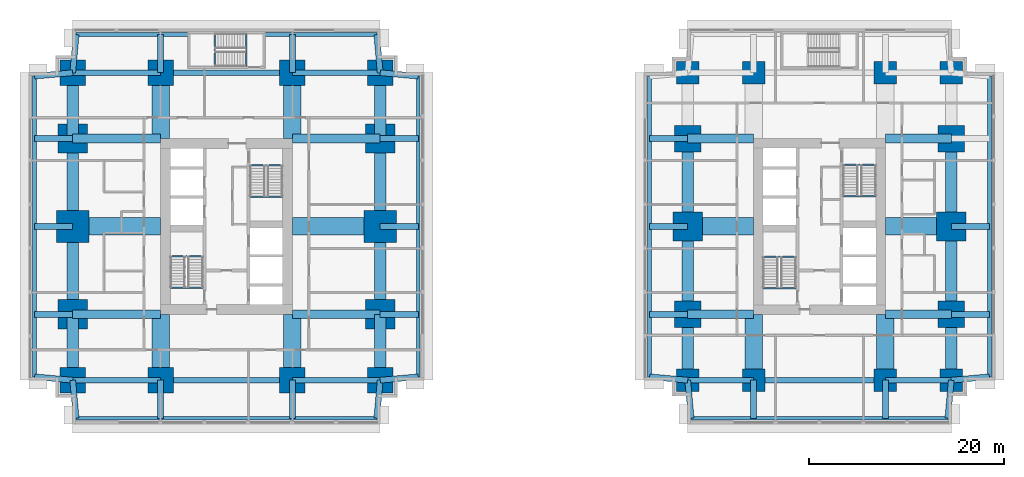
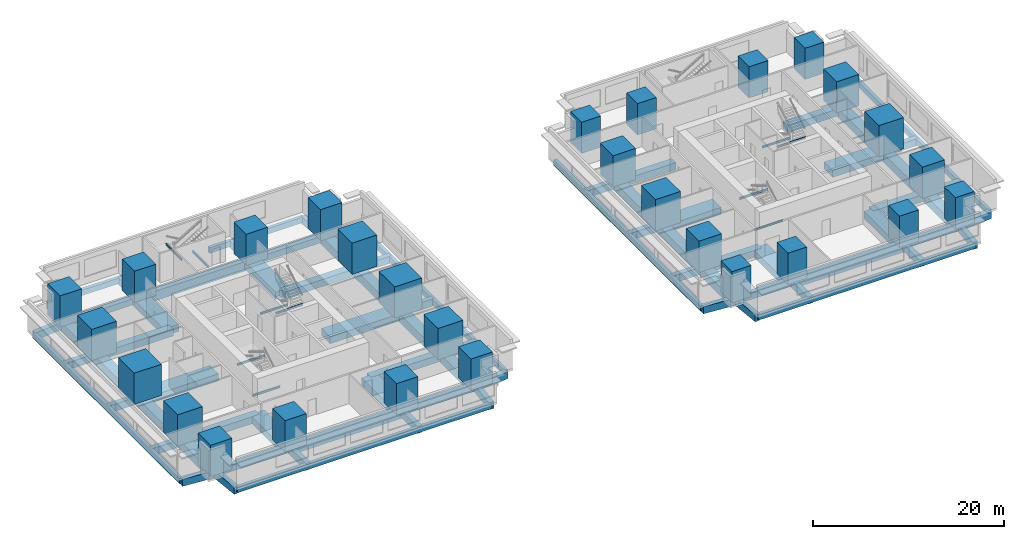
# One storey, part 1 of 11: 88 beams, 28 columns.
"""IFC4 building model written with IfcOpenShell, lengths in metres."""

from ifc_helpers import new_model, si_unit, direction, frame, origin, origin_2d, place, context, subcontext, project, spatial, rectangle, i_section, extrude, material, material_profile, profile_set, type_object, element, save


model = new_model("IFC4")

# Units and contexts
model_context = context("Model", 3, precision=1e-05, world=origin(), true_north=direction((0.0, 1.0)))
body_context = subcontext(model_context, "Body", "Model", "MODEL_VIEW")
ifc_project = project(units=[si_unit("LENGTHUNIT", "METRE"), si_unit("AREAUNIT", "SQUARE_METRE"), si_unit("VOLUMEUNIT", "CUBIC_METRE"), si_unit("PLANEANGLEUNIT", "RADIAN"), si_unit("MASSUNIT", "GRAM", prefix="KILO")], contexts=[model_context])

# Site, building, storey
site_placement = place(None, origin())
site = spatial("IfcSite", under=ifc_project, at=site_placement, CompositionType="ELEMENT")
building_placement = place(site_placement, origin())
building = spatial("IfcBuilding", under=site, at=building_placement, Name="Namib Vertical Campus", CompositionType="ELEMENT")
storey_placement = place(building_placement, frame((0.0, 0.0, 25.0)))
storey = spatial("IfcBuildingStorey", under=building, at=storey_placement, Name="L05", CompositionType="ELEMENT", Elevation=25.0)

# Columns
ifc_material_1 = material(Name="Concrete C60/75", Category="concrete")
ifc_material_profile_1 = material_profile(ifc_material_1, rectangle(XDim=2.300048828125, YDim=2.300048828125, at=origin_2d()))
ifc_profile_set_1 = profile_set([ifc_material_profile_1], Name="Concrete C60/75")
column_type_1 = type_object("IfcColumnType", Name="Column RC 2300x2300", PredefinedType="COLUMN", material=ifc_profile_set_1)
for number, where, z_axis, x_axis, name in (
    (1, (67.5, 4.5, 0.0), (0.0, 0.0, 1.0), (1.0, 0.0, 0.0), "Column C230 L05"),
    (2, (74.25, 4.5, 0.0), (0.0, 0.0, 1.0), (1.0, 0.0, 0.0), "Column C230 L05"),
    (3, (87.75, 4.5, 0.0), (0.0, 0.0, 1.0), (1.0, 0.0, 0.0), "Column C230 L05"),
    (4, (94.5, 4.5, 0.0), (0.0, 0.0, 1.0), (1.0, 0.0, 0.0), "Column C230 L05"),
    (5, (67.5, 36.0, 0.0), (0.0, 0.0, 1.0), (1.0, 0.0, 0.0), "Column C230 L05"),
    (6, (74.25, 36.0, 0.0), (0.0, 0.0, 1.0), (1.0, 0.0, 0.0), "Column C230 L05"),
    (7, (87.75, 36.0, 0.0), (0.0, 0.0, 1.0), (1.0, 0.0, 0.0), "Column C230 L05"),
    (8, (94.5, 36.0, 0.0), (0.0, 0.0, 1.0), (1.0, 0.0, 0.0), "Column C230 L05"),
):
    element("IfcColumn", number, at=place(storey_placement, frame(where, z_axis=z_axis, x_axis=x_axis)), inside=storey, type_object=column_type_1, Name=name, PredefinedType="COLUMN", context=body_context, shape_type="SweptSolid", body=[
        extrude(rectangle(XDim=2.300048828125, YDim=2.300048828125, at=origin_2d()), origin(), (0.0, 0.0, 1.0), 4.0),
    ])
ifc_material_2 = material(Name="Concrete C60/75", Category="concrete")
ifc_material_profile_2 = material_profile(ifc_material_2, rectangle(XDim=2.60009765625, YDim=2.60009765625, at=origin_2d()))
ifc_profile_set_2 = profile_set([ifc_material_profile_2], Name="Concrete C60/75")
column_type_2 = type_object("IfcColumnType", Name="Column RC 2600x2600", PredefinedType="COLUMN", material=ifc_profile_set_2)
for number, where, z_axis, x_axis, name in (
    (9, (4.5, 4.5, 0.0), (0.0, 0.0, 1.0), (1.0, 0.0, 0.0), "Column C260 L05"),
    (10, (13.5, 4.5, 0.0), (0.0, 0.0, 1.0), (1.0, 0.0, 0.0), "Column C260 L05"),
    (11, (27.0, 4.5, 0.0), (0.0, 0.0, 1.0), (1.0, 0.0, 0.0), "Column C260 L05"),
    (12, (36.0, 4.5, 0.0), (0.0, 0.0, 1.0), (1.0, 0.0, 0.0), "Column C260 L05"),
    (13, (4.5, 36.0, 0.0), (0.0, 0.0, 1.0), (1.0, 0.0, 0.0), "Column C260 L05"),
    (14, (13.5, 36.0, 0.0), (0.0, 0.0, 1.0), (1.0, 0.0, 0.0), "Column C260 L05"),
    (15, (27.0, 36.0, 0.0), (0.0, 0.0, 1.0), (1.0, 0.0, 0.0), "Column C260 L05"),
    (16, (36.0, 36.0, 0.0), (0.0, 0.0, 1.0), (1.0, 0.0, 0.0), "Column C260 L05"),
):
    element("IfcColumn", number, at=place(storey_placement, frame(where, z_axis=z_axis, x_axis=x_axis)), inside=storey, type_object=column_type_2, Name=name, PredefinedType="COLUMN", context=body_context, shape_type="SweptSolid", body=[
        extrude(rectangle(XDim=2.60009765625, YDim=2.60009765625, at=origin_2d()), origin(), (0.0, 0.0, 1.0), 4.0),
    ])
ifc_material_3 = material(Name="Concrete C60/75", Category="concrete")
ifc_material_profile_3 = material_profile(ifc_material_3, rectangle(XDim=2.699951171875, YDim=2.699951171875, at=origin_2d()))
ifc_profile_set_3 = profile_set([ifc_material_profile_3], Name="Concrete C60/75")
column_type_3 = type_object("IfcColumnType", Name="Column RC 2700x2700", PredefinedType="COLUMN", material=ifc_profile_set_3)
for number, where, z_axis, x_axis, name in (
    (17, (67.5, 11.25, 0.0), (0.0, 0.0, 1.0), (1.0, 0.0, 0.0), "Column C270 L05"),
    (18, (94.5, 11.25, 0.0), (0.0, 0.0, 1.0), (1.0, 0.0, 0.0), "Column C270 L05"),
    (19, (67.5, 29.25, 0.0), (0.0, 0.0, 1.0), (1.0, 0.0, 0.0), "Column C270 L05"),
    (20, (94.5, 29.25, 0.0), (0.0, 0.0, 1.0), (1.0, 0.0, 0.0), "Column C270 L05"),
):
    element("IfcColumn", number, at=place(storey_placement, frame(where, z_axis=z_axis, x_axis=x_axis)), inside=storey, type_object=column_type_3, Name=name, PredefinedType="COLUMN", context=body_context, shape_type="SweptSolid", body=[
        extrude(rectangle(XDim=2.699951171875, YDim=2.699951171875, at=origin_2d()), origin(), (0.0, 0.0, 1.0), 4.0),
    ])
ifc_material_4 = material(Name="Concrete C60/75", Category="concrete")
ifc_material_profile_4 = material_profile(ifc_material_4, rectangle(XDim=3.0, YDim=3.0, at=origin_2d()))
ifc_profile_set_4 = profile_set([ifc_material_profile_4], Name="Concrete C60/75")
column_type_4 = type_object("IfcColumnType", Name="Column RC 3000x3000", PredefinedType="COLUMN", material=ifc_profile_set_4)
for number, where, z_axis, x_axis, name in (
    (21, (4.5, 11.25, 0.0), (0.0, 0.0, 1.0), (1.0, 0.0, 0.0), "Column C300 L05"),
    (22, (36.0, 11.25, 0.0), (0.0, 0.0, 1.0), (1.0, 0.0, 0.0), "Column C300 L05"),
    (23, (4.5, 29.25, 0.0), (0.0, 0.0, 1.0), (1.0, 0.0, 0.0), "Column C300 L05"),
    (24, (36.0, 29.25, 0.0), (0.0, 0.0, 1.0), (1.0, 0.0, 0.0), "Column C300 L05"),
    (25, (67.5, 20.25, 0.0), (0.0, 0.0, 1.0), (1.0, 0.0, 0.0), "Column C300 L05"),
    (26, (94.5, 20.25, 0.0), (0.0, 0.0, 1.0), (1.0, 0.0, 0.0), "Column C300 L05"),
):
    element("IfcColumn", number, at=place(storey_placement, frame(where, z_axis=z_axis, x_axis=x_axis)), inside=storey, type_object=column_type_4, Name=name, PredefinedType="COLUMN", context=body_context, shape_type="SweptSolid", body=[
        extrude(rectangle(XDim=3.0, YDim=3.0, at=origin_2d()), origin(), (0.0, 0.0, 1.0), 4.0),
    ])
ifc_material_5 = material(Name="Concrete C60/75", Category="concrete")
ifc_material_profile_5 = material_profile(ifc_material_5, rectangle(XDim=3.300048828125, YDim=3.300048828125, at=origin_2d()))
ifc_profile_set_5 = profile_set([ifc_material_profile_5], Name="Concrete C60/75")
column_type_5 = type_object("IfcColumnType", Name="Column RC 3300x3300", PredefinedType="COLUMN", material=ifc_profile_set_5)
for number, where, z_axis, x_axis, name in (
    (27, (4.5, 20.25, 0.0), (0.0, 0.0, 1.0), (1.0, 0.0, 0.0), "Column C330 L05"),
    (28, (36.0, 20.25, 0.0), (0.0, 0.0, 1.0), (1.0, 0.0, 0.0), "Column C330 L05"),
):
    element("IfcColumn", number, at=place(storey_placement, frame(where, z_axis=z_axis, x_axis=x_axis)), inside=storey, type_object=column_type_5, Name=name, PredefinedType="COLUMN", context=body_context, shape_type="SweptSolid", body=[
        extrude(rectangle(XDim=3.300048828125, YDim=3.300048828125, at=origin_2d()), origin(), (0.0, 0.0, 1.0), 4.0),
    ])

# Beams
ifc_material_6 = material(Name="Concrete C40/50", Category="concrete")
ifc_material_profile_6 = material_profile(ifc_material_6, rectangle(XDim=0.60009765625, YDim=0.89990234375, at=origin_2d()))
ifc_profile_set_6 = profile_set([ifc_material_profile_6], Name="Concrete C40/50")
beam_type_1 = type_object("IfcBeamType", Name="Cantilever girder RC 600x900", PredefinedType="BEAM", material=ifc_profile_set_6)
beam_1_placement = place(storey_placement, frame((4.5, 4.5, -0.699951171875), z_axis=(0.089411326146, -0.995994786511, 0.0), x_axis=(0.995994786511, 0.089411326146, 0.0)))
element("IfcBeam", 29, at=beam_1_placement, inside=storey, type_object=beam_type_1, Name="Beam B3 L05", PredefinedType="BEAM", context=body_context, shape_type="SweptSolid", body=[
    extrude(rectangle(XDim=0.60009765625, YDim=0.89990234375, at=origin_2d()), origin(), (0.0, 0.0, 1.0), 3.91552734375),
])
for number, where, z_axis, x_axis, name in (
    (30, (13.5, 4.5, -0.699951171875), (0.0, -1.0, 0.0), (1.0, 0.0, 0.0), "Beam B3 L05"),
    (31, (27.0, 4.5, -0.699951171875), (0.0, -1.0, 0.0), (1.0, 0.0, 0.0), "Beam B3 L05"),
):
    element("IfcBeam", number, at=place(storey_placement, frame(where, z_axis=z_axis, x_axis=x_axis)), inside=storey, type_object=beam_type_1, Name=name, PredefinedType="BEAM", context=body_context, shape_type="SweptSolid", body=[
        extrude(rectangle(XDim=0.60009765625, YDim=0.89990234375, at=origin_2d()), origin(), (0.0, 0.0, 1.0), 3.89990234375),
    ])
for number, where, z_axis, x_axis, name in (
    (32, (36.0, 4.5, -0.699951171875), (-0.089411326146, -0.995994786511, 0.0), (0.995994786511, -0.089411326146, 0.0), "Beam B3 L05"),
    (33, (4.5, 36.0, -0.699951171875), (0.089411326146, 0.995994786511, 0.0), (-0.995994786511, 0.089411326146, 0.0), "Beam B3 L05"),
):
    element("IfcBeam", number, at=place(storey_placement, frame(where, z_axis=z_axis, x_axis=x_axis)), inside=storey, type_object=beam_type_1, Name=name, PredefinedType="BEAM", context=body_context, shape_type="SweptSolid", body=[
        extrude(rectangle(XDim=0.60009765625, YDim=0.89990234375, at=origin_2d()), origin(), (0.0, 0.0, 1.0), 3.91552734375),
    ])
for number, where, z_axis, x_axis, name in (
    (34, (13.5, 36.0, -0.699951171875), (0.0, 1.0, 0.0), (-1.0, 0.0, 0.0), "Beam B3 L05"),
    (35, (27.0, 36.0, -0.699951171875), (0.0, 1.0, 0.0), (-1.0, 0.0, 0.0), "Beam B3 L05"),
):
    element("IfcBeam", number, at=place(storey_placement, frame(where, z_axis=z_axis, x_axis=x_axis)), inside=storey, type_object=beam_type_1, Name=name, PredefinedType="BEAM", context=body_context, shape_type="SweptSolid", body=[
        extrude(rectangle(XDim=0.60009765625, YDim=0.89990234375, at=origin_2d()), origin(), (0.0, 0.0, 1.0), 3.89990234375),
    ])
for number, where, z_axis, x_axis, name in (
    (36, (36.0, 36.0, -0.699951171875), (-0.089411326146, 0.995994786511, 0.0), (-0.995994786511, -0.089411326146, 0.0), "Beam B3 L05"),
    (37, (4.5, 4.5, -0.699951171875), (-0.995994786511, 0.089411326146, 0.0), (-0.089411326146, -0.995994786511, 0.0), "Beam B3 L05"),
):
    element("IfcBeam", number, at=place(storey_placement, frame(where, z_axis=z_axis, x_axis=x_axis)), inside=storey, type_object=beam_type_1, Name=name, PredefinedType="BEAM", context=body_context, shape_type="SweptSolid", body=[
        extrude(rectangle(XDim=0.60009765625, YDim=0.89990234375, at=origin_2d()), origin(), (0.0, 0.0, 1.0), 3.91552734375),
    ])
for number, where, z_axis, x_axis, name in (
    (38, (4.5, 11.25, -0.699951171875), (-1.0, 0.0, 0.0), (0.0, -1.0, 0.0), "Beam B3 L05"),
    (39, (4.5, 20.25, -0.699951171875), (-1.0, 0.0, 0.0), (0.0, -1.0, 0.0), "Beam B3 L05"),
    (40, (4.5, 29.25, -0.699951171875), (-1.0, 0.0, 0.0), (0.0, -1.0, 0.0), "Beam B3 L05"),
):
    element("IfcBeam", number, at=place(storey_placement, frame(where, z_axis=z_axis, x_axis=x_axis)), inside=storey, type_object=beam_type_1, Name=name, PredefinedType="BEAM", context=body_context, shape_type="SweptSolid", body=[
        extrude(rectangle(XDim=0.60009765625, YDim=0.89990234375, at=origin_2d()), origin(), (0.0, 0.0, 1.0), 3.89990234375),
    ])
for number, where, z_axis, x_axis, name in (
    (41, (4.5, 36.0, -0.699951171875), (-0.995994786511, -0.089411326146, 0.0), (0.089411326146, -0.995994786511, 0.0), "Beam B3 L05"),
    (42, (36.0, 4.5, -0.699951171875), (0.995994786511, 0.089411326146, 0.0), (-0.089411326146, 0.995994786511, 0.0), "Beam B3 L05"),
):
    element("IfcBeam", number, at=place(storey_placement, frame(where, z_axis=z_axis, x_axis=x_axis)), inside=storey, type_object=beam_type_1, Name=name, PredefinedType="BEAM", context=body_context, shape_type="SweptSolid", body=[
        extrude(rectangle(XDim=0.60009765625, YDim=0.89990234375, at=origin_2d()), origin(), (0.0, 0.0, 1.0), 3.91552734375),
    ])
for number, where, z_axis, x_axis, name in (
    (43, (36.0, 11.25, -0.699951171875), (1.0, 0.0, 0.0), (0.0, 1.0, 0.0), "Beam B3 L05"),
    (44, (36.0, 20.25, -0.699951171875), (1.0, 0.0, 0.0), (0.0, 1.0, 0.0), "Beam B3 L05"),
    (45, (36.0, 29.25, -0.699951171875), (1.0, 0.0, 0.0), (0.0, 1.0, 0.0), "Beam B3 L05"),
):
    element("IfcBeam", number, at=place(storey_placement, frame(where, z_axis=z_axis, x_axis=x_axis)), inside=storey, type_object=beam_type_1, Name=name, PredefinedType="BEAM", context=body_context, shape_type="SweptSolid", body=[
        extrude(rectangle(XDim=0.60009765625, YDim=0.89990234375, at=origin_2d()), origin(), (0.0, 0.0, 1.0), 3.89990234375),
    ])
for number, where, z_axis, x_axis, name in (
    (46, (36.0, 36.0, -0.699951171875), (0.995994786511, -0.089411326146, 0.0), (0.089411326146, 0.995994786511, 0.0), "Beam B3 L05"),
    (47, (67.5, 4.5, -0.699951171875), (0.089411326146, -0.995994786511, 0.0), (0.995994786511, 0.089411326146, 0.0), "Beam B3 L05"),
):
    element("IfcBeam", number, at=place(storey_placement, frame(where, z_axis=z_axis, x_axis=x_axis)), inside=storey, type_object=beam_type_1, Name=name, PredefinedType="BEAM", context=body_context, shape_type="SweptSolid", body=[
        extrude(rectangle(XDim=0.60009765625, YDim=0.89990234375, at=origin_2d()), origin(), (0.0, 0.0, 1.0), 3.91552734375),
    ])
for number, where, z_axis, x_axis, name in (
    (48, (74.25, 4.5, -0.699951171875), (0.0, -1.0, 0.0), (1.0, 0.0, 0.0), "Beam B3 L05"),
    (49, (87.75, 4.5, -0.699951171875), (0.0, -1.0, 0.0), (1.0, 0.0, 0.0), "Beam B3 L05"),
):
    element("IfcBeam", number, at=place(storey_placement, frame(where, z_axis=z_axis, x_axis=x_axis)), inside=storey, type_object=beam_type_1, Name=name, PredefinedType="BEAM", context=body_context, shape_type="SweptSolid", body=[
        extrude(rectangle(XDim=0.60009765625, YDim=0.89990234375, at=origin_2d()), origin(), (0.0, 0.0, 1.0), 3.89990234375),
    ])
for number, where, z_axis, x_axis, name in (
    (50, (94.5, 4.5, -0.699951171875), (-0.089411326146, -0.995994786511, 0.0), (0.995994786511, -0.089411326146, 0.0), "Beam B3 L05"),
    (51, (67.5, 4.5, -0.699951171875), (-0.995994786511, 0.089411326146, 0.0), (-0.089411326146, -0.995994786511, 0.0), "Beam B3 L05"),
):
    element("IfcBeam", number, at=place(storey_placement, frame(where, z_axis=z_axis, x_axis=x_axis)), inside=storey, type_object=beam_type_1, Name=name, PredefinedType="BEAM", context=body_context, shape_type="SweptSolid", body=[
        extrude(rectangle(XDim=0.60009765625, YDim=0.89990234375, at=origin_2d()), origin(), (0.0, 0.0, 1.0), 3.91552734375),
    ])
for number, where, z_axis, x_axis, name in (
    (52, (67.5, 11.25, -0.699951171875), (-1.0, 0.0, 0.0), (0.0, -1.0, 0.0), "Beam B3 L05"),
    (53, (67.5, 20.25, -0.699951171875), (-1.0, 0.0, 0.0), (0.0, -1.0, 0.0), "Beam B3 L05"),
    (54, (67.5, 29.25, -0.699951171875), (-1.0, 0.0, 0.0), (0.0, -1.0, 0.0), "Beam B3 L05"),
):
    element("IfcBeam", number, at=place(storey_placement, frame(where, z_axis=z_axis, x_axis=x_axis)), inside=storey, type_object=beam_type_1, Name=name, PredefinedType="BEAM", context=body_context, shape_type="SweptSolid", body=[
        extrude(rectangle(XDim=0.60009765625, YDim=0.89990234375, at=origin_2d()), origin(), (0.0, 0.0, 1.0), 3.89990234375),
    ])
beam_2_placement = place(storey_placement, frame((94.5, 4.5, -0.699951171875), z_axis=(0.995994786511, 0.089411326146, 0.0), x_axis=(-0.089411326146, 0.995994786511, 0.0)))
element("IfcBeam", 55, at=beam_2_placement, inside=storey, type_object=beam_type_1, Name="Beam B3 L05", PredefinedType="BEAM", context=body_context, shape_type="SweptSolid", body=[
    extrude(rectangle(XDim=0.60009765625, YDim=0.89990234375, at=origin_2d()), origin(), (0.0, 0.0, 1.0), 3.91552734375),
])
for number, where, z_axis, x_axis, name in (
    (56, (94.5, 11.25, -0.699951171875), (1.0, 0.0, 0.0), (0.0, 1.0, 0.0), "Beam B3 L05"),
    (57, (94.5, 20.25, -0.699951171875), (1.0, 0.0, 0.0), (0.0, 1.0, 0.0), "Beam B3 L05"),
):
    element("IfcBeam", number, at=place(storey_placement, frame(where, z_axis=z_axis, x_axis=x_axis)), inside=storey, type_object=beam_type_1, Name=name, PredefinedType="BEAM", context=body_context, shape_type="SweptSolid", body=[
        extrude(rectangle(XDim=0.60009765625, YDim=0.89990234375, at=origin_2d()), origin(), (0.0, 0.0, 1.0), 3.89990234375),
    ])
ifc_material_7 = material(Name="Concrete C40/50", Category="concrete")
ifc_material_profile_7 = material_profile(ifc_material_7, rectangle(XDim=0.39990234375, YDim=0.699951171875, at=origin_2d()))
ifc_profile_set_7 = profile_set([ifc_material_profile_7], Name="Concrete C40/50")
beam_type_2 = type_object("IfcBeamType", Name="Edge beam RC 400x700", PredefinedType="SPANDREL", material=ifc_profile_set_7)
beam_3_placement = place(storey_placement, frame((4.85009765625, 0.60009765625, -0.60009765625), z_axis=(1.0, 0.0, 0.0), x_axis=(0.0, 1.0, 0.0)))
element("IfcBeam", 58, at=beam_3_placement, inside=storey, type_object=beam_type_2, Name="Beam B4 L05", PredefinedType="SPANDREL", context=body_context, shape_type="SweptSolid", body=[
    extrude(rectangle(XDim=0.39990234375, YDim=0.699951171875, at=origin_2d()), origin(), (0.0, 0.0, 1.0), 30.7998046875),
])
for number, where, z_axis, x_axis, name in (
    (59, (4.85009765625, 39.89990234375, -0.60009765625), (1.0, 0.0, 0.0), (0.0, 1.0, 0.0), "Beam B4 L05"),
    (60, (24.199951171875, 39.89990234375, -0.60009765625), (1.0, 0.0, 0.0), (0.0, 1.0, 0.0), "Beam B4 L05"),
):
    element("IfcBeam", number, at=place(storey_placement, frame(where, z_axis=z_axis, x_axis=x_axis)), inside=storey, type_object=beam_type_2, Name=name, PredefinedType="SPANDREL", context=body_context, shape_type="SweptSolid", body=[
        extrude(rectangle(XDim=0.39990234375, YDim=0.699951171875, at=origin_2d()), origin(), (0.0, 0.0, 1.0), 11.449951171875),
    ])
for number, where, z_axis, x_axis, name in (
    (61, (0.60009765625, 4.85009765625, -0.60009765625), (0.0, 1.0, 0.0), (-1.0, 0.0, 0.0), "Beam B4 L05"),
    (62, (39.89990234375, 4.85009765625, -0.60009765625), (0.0, 1.0, 0.0), (-1.0, 0.0, 0.0), "Beam B4 L05"),
):
    element("IfcBeam", number, at=place(storey_placement, frame(where, z_axis=z_axis, x_axis=x_axis)), inside=storey, type_object=beam_type_2, Name=name, PredefinedType="SPANDREL", context=body_context, shape_type="SweptSolid", body=[
        extrude(rectangle(XDim=0.39990234375, YDim=0.699951171875, at=origin_2d()), origin(), (0.0, 0.0, 1.0), 30.7998046875),
    ])
beam_4_placement = place(storey_placement, frame((67.85009765625, 0.60009765625, -0.60009765625), z_axis=(1.0, 0.0, 0.0), x_axis=(0.0, 1.0, 0.0)))
element("IfcBeam", 63, at=beam_4_placement, inside=storey, type_object=beam_type_2, Name="Beam B4 L05", PredefinedType="SPANDREL", context=body_context, shape_type="SweptSolid", body=[
    extrude(rectangle(XDim=0.39990234375, YDim=0.699951171875, at=origin_2d()), origin(), (0.0, 0.0, 1.0), 26.2998046875),
])
for number, where, z_axis, x_axis, name in (
    (64, (63.60009765625, 4.85009765625, -0.60009765625), (0.0, 1.0, 0.0), (-1.0, 0.0, 0.0), "Beam B4 L05"),
    (65, (98.39990234375, 4.85009765625, -0.60009765625), (0.0, 1.0, 0.0), (-1.0, 0.0, 0.0), "Beam B4 L05"),
):
    element("IfcBeam", number, at=place(storey_placement, frame(where, z_axis=z_axis, x_axis=x_axis)), inside=storey, type_object=beam_type_2, Name=name, PredefinedType="SPANDREL", context=body_context, shape_type="SweptSolid", body=[
        extrude(rectangle(XDim=0.39990234375, YDim=0.699951171875, at=origin_2d()), origin(), (0.0, 0.0, 1.0), 30.7998046875),
    ])
ifc_material_8 = material(Name="Concrete C40/50", Category="concrete")
ifc_material_profile_8 = material_profile(ifc_material_8, rectangle(XDim=0.89990234375, YDim=0.89990234375, at=origin_2d()))
ifc_profile_set_8 = profile_set([ifc_material_profile_8], Name="Concrete C40/50")
beam_type_3 = type_object("IfcBeamType", Name="Face girder RC 900x900", PredefinedType="BEAM", material=ifc_profile_set_8)
for number, where, z_axis, x_axis, name in (
    (66, (4.5, 11.25, -0.699951171875), (1.0, 0.0, 0.0), (0.0, 1.0, 0.0), "Beam B10 L05"),
    (67, (36.0, 11.25, -0.699951171875), (-1.0, 0.0, 0.0), (0.0, -1.0, 0.0), "Beam B10 L05"),
    (68, (4.5, 29.25, -0.699951171875), (1.0, 0.0, 0.0), (0.0, 1.0, 0.0), "Beam B10 L05"),
    (69, (36.0, 29.25, -0.699951171875), (-1.0, 0.0, 0.0), (0.0, -1.0, 0.0), "Beam B10 L05"),
):
    element("IfcBeam", number, at=place(storey_placement, frame(where, z_axis=z_axis, x_axis=x_axis)), inside=storey, type_object=beam_type_3, Name=name, PredefinedType="BEAM", context=body_context, shape_type="SweptSolid", body=[
        extrude(rectangle(XDim=0.89990234375, YDim=0.89990234375, at=origin_2d()), origin(), (0.0, 0.0, 1.0), 9.0),
    ])
for number, where, z_axis, x_axis, name in (
    (70, (67.5, 11.25, -0.699951171875), (1.0, 0.0, 0.0), (0.0, 1.0, 0.0), "Beam B10 L05"),
    (71, (94.5, 11.25, -0.699951171875), (-1.0, 0.0, 0.0), (0.0, -1.0, 0.0), "Beam B10 L05"),
    (72, (67.5, 29.25, -0.699951171875), (1.0, 0.0, 0.0), (0.0, 1.0, 0.0), "Beam B10 L05"),
    (73, (94.5, 29.25, -0.699951171875), (-1.0, 0.0, 0.0), (0.0, -1.0, 0.0), "Beam B10 L05"),
):
    element("IfcBeam", number, at=place(storey_placement, frame(where, z_axis=z_axis, x_axis=x_axis)), inside=storey, type_object=beam_type_3, Name=name, PredefinedType="BEAM", context=body_context, shape_type="SweptSolid", body=[
        extrude(rectangle(XDim=0.89990234375, YDim=0.89990234375, at=origin_2d()), origin(), (0.0, 0.0, 1.0), 6.75),
    ])
ifc_material_9 = material(Name="Concrete C40/50", Category="concrete")
ifc_material_profile_9 = material_profile(ifc_material_9, rectangle(XDim=1.199951171875, YDim=1.10009765625, at=origin_2d()))
ifc_profile_set_9 = profile_set([ifc_material_profile_9], Name="Concrete C40/50")
beam_type_4 = type_object("IfcBeamType", Name="Face ring beam RC 1200x1100", PredefinedType="BEAM", material=ifc_profile_set_9)
beam_5_placement = place(storey_placement, frame((4.5, 4.5, -0.800048828125), z_axis=(0.0, 1.0, 0.0), x_axis=(-1.0, 0.0, 0.0)))
element("IfcBeam", 74, at=beam_5_placement, inside=storey, type_object=beam_type_4, Name="Beam B11 L05", PredefinedType="BEAM", context=body_context, shape_type="SweptSolid", body=[
    extrude(rectangle(XDim=1.199951171875, YDim=1.10009765625, at=origin_2d()), origin(), (0.0, 0.0, 1.0), 6.75),
])
for number, where, z_axis, x_axis, name in (
    (75, (4.5, 11.25, -0.800048828125), (0.0, 1.0, 0.0), (-1.0, 0.0, 0.0), "Beam B11 L05"),
    (76, (4.5, 20.25, -0.800048828125), (0.0, 1.0, 0.0), (-1.0, 0.0, 0.0), "Beam B11 L05"),
):
    element("IfcBeam", number, at=place(storey_placement, frame(where, z_axis=z_axis, x_axis=x_axis)), inside=storey, type_object=beam_type_4, Name=name, PredefinedType="BEAM", context=body_context, shape_type="SweptSolid", body=[
        extrude(rectangle(XDim=1.199951171875, YDim=1.10009765625, at=origin_2d()), origin(), (0.0, 0.0, 1.0), 9.0),
    ])
for number, where, z_axis, x_axis, name in (
    (77, (4.5, 29.25, -0.800048828125), (0.0, 1.0, 0.0), (-1.0, 0.0, 0.0), "Beam B11 L05"),
    (78, (36.0, 4.5, -0.800048828125), (0.0, 1.0, 0.0), (-1.0, 0.0, 0.0), "Beam B11 L05"),
):
    element("IfcBeam", number, at=place(storey_placement, frame(where, z_axis=z_axis, x_axis=x_axis)), inside=storey, type_object=beam_type_4, Name=name, PredefinedType="BEAM", context=body_context, shape_type="SweptSolid", body=[
        extrude(rectangle(XDim=1.199951171875, YDim=1.10009765625, at=origin_2d()), origin(), (0.0, 0.0, 1.0), 6.75),
    ])
for number, where, z_axis, x_axis, name in (
    (79, (36.0, 11.25, -0.800048828125), (0.0, 1.0, 0.0), (-1.0, 0.0, 0.0), "Beam B11 L05"),
    (80, (36.0, 20.25, -0.800048828125), (0.0, 1.0, 0.0), (-1.0, 0.0, 0.0), "Beam B11 L05"),
):
    element("IfcBeam", number, at=place(storey_placement, frame(where, z_axis=z_axis, x_axis=x_axis)), inside=storey, type_object=beam_type_4, Name=name, PredefinedType="BEAM", context=body_context, shape_type="SweptSolid", body=[
        extrude(rectangle(XDim=1.199951171875, YDim=1.10009765625, at=origin_2d()), origin(), (0.0, 0.0, 1.0), 9.0),
    ])
for number, where, z_axis, x_axis, name in (
    (81, (36.0, 29.25, -0.800048828125), (0.0, 1.0, 0.0), (-1.0, 0.0, 0.0), "Beam B11 L05"),
    (82, (67.5, 4.5, -0.800048828125), (0.0, 1.0, 0.0), (-1.0, 0.0, 0.0), "Beam B11 L05"),
):
    element("IfcBeam", number, at=place(storey_placement, frame(where, z_axis=z_axis, x_axis=x_axis)), inside=storey, type_object=beam_type_4, Name=name, PredefinedType="BEAM", context=body_context, shape_type="SweptSolid", body=[
        extrude(rectangle(XDim=1.199951171875, YDim=1.10009765625, at=origin_2d()), origin(), (0.0, 0.0, 1.0), 6.75),
    ])
for number, where, z_axis, x_axis, name in (
    (83, (67.5, 11.25, -0.800048828125), (0.0, 1.0, 0.0), (-1.0, 0.0, 0.0), "Beam B11 L05"),
    (84, (67.5, 20.25, -0.800048828125), (0.0, 1.0, 0.0), (-1.0, 0.0, 0.0), "Beam B11 L05"),
):
    element("IfcBeam", number, at=place(storey_placement, frame(where, z_axis=z_axis, x_axis=x_axis)), inside=storey, type_object=beam_type_4, Name=name, PredefinedType="BEAM", context=body_context, shape_type="SweptSolid", body=[
        extrude(rectangle(XDim=1.199951171875, YDim=1.10009765625, at=origin_2d()), origin(), (0.0, 0.0, 1.0), 9.0),
    ])
beam_6_placement = place(storey_placement, frame((94.5, 4.5, -0.800048828125), z_axis=(0.0, 1.0, 0.0), x_axis=(-1.0, 0.0, 0.0)))
element("IfcBeam", 85, at=beam_6_placement, inside=storey, type_object=beam_type_4, Name="Beam B11 L05", PredefinedType="BEAM", context=body_context, shape_type="SweptSolid", body=[
    extrude(rectangle(XDim=1.199951171875, YDim=1.10009765625, at=origin_2d()), origin(), (0.0, 0.0, 1.0), 6.75),
])
for number, where, z_axis, x_axis, name in (
    (86, (94.5, 11.25, -0.800048828125), (0.0, 1.0, 0.0), (-1.0, 0.0, 0.0), "Beam B11 L05"),
    (87, (94.5, 20.25, -0.800048828125), (0.0, 1.0, 0.0), (-1.0, 0.0, 0.0), "Beam B11 L05"),
):
    element("IfcBeam", number, at=place(storey_placement, frame(where, z_axis=z_axis, x_axis=x_axis)), inside=storey, type_object=beam_type_4, Name=name, PredefinedType="BEAM", context=body_context, shape_type="SweptSolid", body=[
        extrude(rectangle(XDim=1.199951171875, YDim=1.10009765625, at=origin_2d()), origin(), (0.0, 0.0, 1.0), 9.0),
    ])
ifc_material_10 = material(Name="Steel S355JR", Category="steel")
ifc_material_profile_10 = material_profile(ifc_material_10, i_section(OverallWidth=0.14599609375, OverallDepth=0.25146484375, WebThickness=0.006103515625, FlangeThickness=0.008544921875, FilletRadius=0.007568359375, at=origin_2d()))
ifc_profile_set_10 = profile_set([ifc_material_profile_10], Name="Steel S355JR")
beam_type_5 = type_object("IfcBeamType", Name="Landing trimmer UB 254x146x31", PredefinedType="BEAM", material=ifc_profile_set_10)
for number, where, z_axis, x_axis, name in (
    (88, (14.5, 13.97705078125, -0.125732421875), (1.0, 0.0, 0.0), (0.0, 1.0, 0.0), "Landing trimmer LT1 A-S1 L05 1"),
    (89, (14.5, 17.203125, 1.874267578125), (1.0, 0.0, 0.0), (0.0, 1.0, 0.0), "Landing trimmer LT1 A-S1 L05 2"),
    (90, (22.64990234375, 26.52294921875, -0.125732421875), (1.0, 0.0, 0.0), (0.0, 1.0, 0.0), "Landing trimmer LT1 A-S2 L05 1"),
    (91, (22.64990234375, 23.296875, 1.874267578125), (1.0, 0.0, 0.0), (0.0, 1.0, 0.0), "Landing trimmer LT1 A-S2 L05 2"),
):
    element("IfcBeam", number, at=place(storey_placement, frame(where, z_axis=z_axis, x_axis=x_axis)), inside=storey, type_object=beam_type_5, Name=name, PredefinedType="BEAM", context=body_context, shape_type="SweptSolid", body=[
        extrude(i_section(OverallWidth=0.14599609375, OverallDepth=0.25146484375, WebThickness=0.006103515625, FlangeThickness=0.008544921875, FilletRadius=0.007568359375, at=origin_2d()), origin(), (0.0, 0.0, 1.0), 3.35009765625),
    ])
for number, where, z_axis, x_axis, name in (
    (92, (75.199951171875, 13.927001953125, -0.125732421875), (1.0, 0.0, 0.0), (0.0, 1.0, 0.0), "Landing trimmer LT1 B-S1 L05 1"),
    (93, (75.199951171875, 17.153076171875, 1.874267578125), (1.0, 0.0, 0.0), (0.0, 1.0, 0.0), "Landing trimmer LT1 B-S1 L05 2"),
    (94, (83.39990234375, 26.572998046875, -0.125732421875), (1.0, 0.0, 0.0), (0.0, 1.0, 0.0), "Landing trimmer LT1 B-S2 L05 1"),
    (95, (83.39990234375, 23.346923828125, 1.874267578125), (1.0, 0.0, 0.0), (0.0, 1.0, 0.0), "Landing trimmer LT1 B-S2 L05 2"),
):
    element("IfcBeam", number, at=place(storey_placement, frame(where, z_axis=z_axis, x_axis=x_axis)), inside=storey, type_object=beam_type_5, Name=name, PredefinedType="BEAM", context=body_context, shape_type="SweptSolid", body=[
        extrude(i_section(OverallWidth=0.14599609375, OverallDepth=0.25146484375, WebThickness=0.006103515625, FlangeThickness=0.008544921875, FilletRadius=0.007568359375, at=origin_2d()), origin(), (0.0, 0.0, 1.0), 3.400146484375),
    ])
for number, where, z_axis, x_axis, name in (
    (96, (22.27294921875, 36.64990234375, -0.125732421875), (0.0, 1.0, 0.0), (-1.0, 0.0, 0.0), "Landing trimmer LT1 A-S3 L05 1"),
    (97, (19.046875, 36.64990234375, 1.874267578125), (0.0, 1.0, 0.0), (-1.0, 0.0, 0.0), "Landing trimmer LT1 A-S3 L05 2"),
):
    element("IfcBeam", number, at=place(storey_placement, frame(where, z_axis=z_axis, x_axis=x_axis)), inside=storey, type_object=beam_type_5, Name=name, PredefinedType="BEAM", context=body_context, shape_type="SweptSolid", body=[
        extrude(i_section(OverallWidth=0.14599609375, OverallDepth=0.25146484375, WebThickness=0.006103515625, FlangeThickness=0.008544921875, FilletRadius=0.007568359375, at=origin_2d()), origin(), (0.0, 0.0, 1.0), 3.35009765625),
    ])
ifc_material_11 = material(Name="Concrete C40/50", Category="concrete")
ifc_material_profile_11 = material_profile(ifc_material_11, rectangle(XDim=0.60009765625, YDim=1.199951171875, at=origin_2d()))
ifc_profile_set_11 = profile_set([ifc_material_profile_11], Name="Concrete C40/50")
beam_type_6 = type_object("IfcBeamType", Name="Long-span ring beam RC 600x1200", PredefinedType="BEAM", material=ifc_profile_set_11)
for number, where, z_axis, x_axis, name in (
    (98, (13.5, 4.5, -0.85009765625), (1.0, 0.0, 0.0), (0.0, 1.0, 0.0), "Beam B9 L05"),
    (99, (13.5, 36.0, -0.85009765625), (1.0, 0.0, 0.0), (0.0, 1.0, 0.0), "Beam B9 L05"),
    (100, (74.25, 4.5, -0.85009765625), (1.0, 0.0, 0.0), (0.0, 1.0, 0.0), "Beam B9 L05"),
):
    element("IfcBeam", number, at=place(storey_placement, frame(where, z_axis=z_axis, x_axis=x_axis)), inside=storey, type_object=beam_type_6, Name=name, PredefinedType="BEAM", context=body_context, shape_type="SweptSolid", body=[
        extrude(rectangle(XDim=0.60009765625, YDim=1.199951171875, at=origin_2d()), origin(), (0.0, 0.0, 1.0), 13.5),
    ])
ifc_material_12 = material(Name="Concrete C40/50", Category="concrete")
ifc_material_profile_12 = material_profile(ifc_material_12, rectangle(XDim=1.800048828125, YDim=0.89990234375, at=origin_2d()))
ifc_profile_set_12 = profile_set([ifc_material_profile_12], Name="Concrete C40/50")
beam_type_7 = type_object("IfcBeamType", Name="Outrigger line girder RC 1800x900", PredefinedType="BEAM", material=ifc_profile_set_12)
for number, where, z_axis, x_axis, name in (
    (101, (13.5, 4.5, -0.699951171875), (0.0, 1.0, 0.0), (-1.0, 0.0, 0.0), "Beam B12 L05"),
    (102, (13.5, 36.0, -0.699951171875), (0.0, -1.0, 0.0), (1.0, 0.0, 0.0), "Beam B12 L05"),
    (103, (27.0, 4.5, -0.699951171875), (0.0, 1.0, 0.0), (-1.0, 0.0, 0.0), "Beam B12 L05"),
    (104, (27.0, 36.0, -0.699951171875), (0.0, -1.0, 0.0), (1.0, 0.0, 0.0), "Beam B12 L05"),
):
    element("IfcBeam", number, at=place(storey_placement, frame(where, z_axis=z_axis, x_axis=x_axis)), inside=storey, type_object=beam_type_7, Name=name, PredefinedType="BEAM", context=body_context, shape_type="SweptSolid", body=[
        extrude(rectangle(XDim=1.800048828125, YDim=0.89990234375, at=origin_2d()), origin(), (0.0, 0.0, 1.0), 6.75),
    ])
for number, where, z_axis, x_axis, name in (
    (105, (4.5, 20.25, -0.699951171875), (1.0, 0.0, 0.0), (0.0, 1.0, 0.0), "Beam B12 L05"),
    (106, (36.0, 20.25, -0.699951171875), (-1.0, 0.0, 0.0), (0.0, -1.0, 0.0), "Beam B12 L05"),
):
    element("IfcBeam", number, at=place(storey_placement, frame(where, z_axis=z_axis, x_axis=x_axis)), inside=storey, type_object=beam_type_7, Name=name, PredefinedType="BEAM", context=body_context, shape_type="SweptSolid", body=[
        extrude(rectangle(XDim=1.800048828125, YDim=0.89990234375, at=origin_2d()), origin(), (0.0, 0.0, 1.0), 9.0),
    ])
for number, where, z_axis, x_axis, name in (
    (107, (74.25, 4.5, -0.699951171875), (0.0, 1.0, 0.0), (-1.0, 0.0, 0.0), "Beam B12 L05"),
    (108, (87.75, 4.5, -0.699951171875), (0.0, 1.0, 0.0), (-1.0, 0.0, 0.0), "Beam B12 L05"),
    (109, (67.5, 20.25, -0.699951171875), (1.0, 0.0, 0.0), (0.0, 1.0, 0.0), "Beam B12 L05"),
    (110, (94.5, 20.25, -0.699951171875), (-1.0, 0.0, 0.0), (0.0, -1.0, 0.0), "Beam B12 L05"),
):
    element("IfcBeam", number, at=place(storey_placement, frame(where, z_axis=z_axis, x_axis=x_axis)), inside=storey, type_object=beam_type_7, Name=name, PredefinedType="BEAM", context=body_context, shape_type="SweptSolid", body=[
        extrude(rectangle(XDim=1.800048828125, YDim=0.89990234375, at=origin_2d()), origin(), (0.0, 0.0, 1.0), 6.75),
    ])
ifc_material_13 = material(Name="Concrete C40/50", Category="concrete")
ifc_material_profile_13 = material_profile(ifc_material_13, rectangle(XDim=0.60009765625, YDim=0.800048828125, at=origin_2d()))
ifc_profile_set_13 = profile_set([ifc_material_profile_13], Name="Concrete C40/50")
beam_type_8 = type_object("IfcBeamType", Name="Ring beam RC 600x800", PredefinedType="BEAM", material=ifc_profile_set_13)
for number, where, z_axis, x_axis, name in (
    (111, (4.5, 4.5, -0.64990234375), (1.0, 0.0, 0.0), (0.0, 1.0, 0.0), "Beam B1 L05"),
    (112, (27.0, 4.5, -0.64990234375), (1.0, 0.0, 0.0), (0.0, 1.0, 0.0), "Beam B1 L05"),
    (113, (4.5, 36.0, -0.64990234375), (1.0, 0.0, 0.0), (0.0, 1.0, 0.0), "Beam B1 L05"),
    (114, (27.0, 36.0, -0.64990234375), (1.0, 0.0, 0.0), (0.0, 1.0, 0.0), "Beam B1 L05"),
):
    element("IfcBeam", number, at=place(storey_placement, frame(where, z_axis=z_axis, x_axis=x_axis)), inside=storey, type_object=beam_type_8, Name=name, PredefinedType="BEAM", context=body_context, shape_type="SweptSolid", body=[
        extrude(rectangle(XDim=0.60009765625, YDim=0.800048828125, at=origin_2d()), origin(), (0.0, 0.0, 1.0), 9.0),
    ])
for number, where, z_axis, x_axis, name in (
    (115, (67.5, 4.5, -0.64990234375), (1.0, 0.0, 0.0), (0.0, 1.0, 0.0), "Beam B1 L05"),
    (116, (87.75, 4.5, -0.64990234375), (1.0, 0.0, 0.0), (0.0, 1.0, 0.0), "Beam B1 L05"),
):
    element("IfcBeam", number, at=place(storey_placement, frame(where, z_axis=z_axis, x_axis=x_axis)), inside=storey, type_object=beam_type_8, Name=name, PredefinedType="BEAM", context=body_context, shape_type="SweptSolid", body=[
        extrude(rectangle(XDim=0.60009765625, YDim=0.800048828125, at=origin_2d()), origin(), (0.0, 0.0, 1.0), 6.75),
    ])

save(model, "model.ifc")
